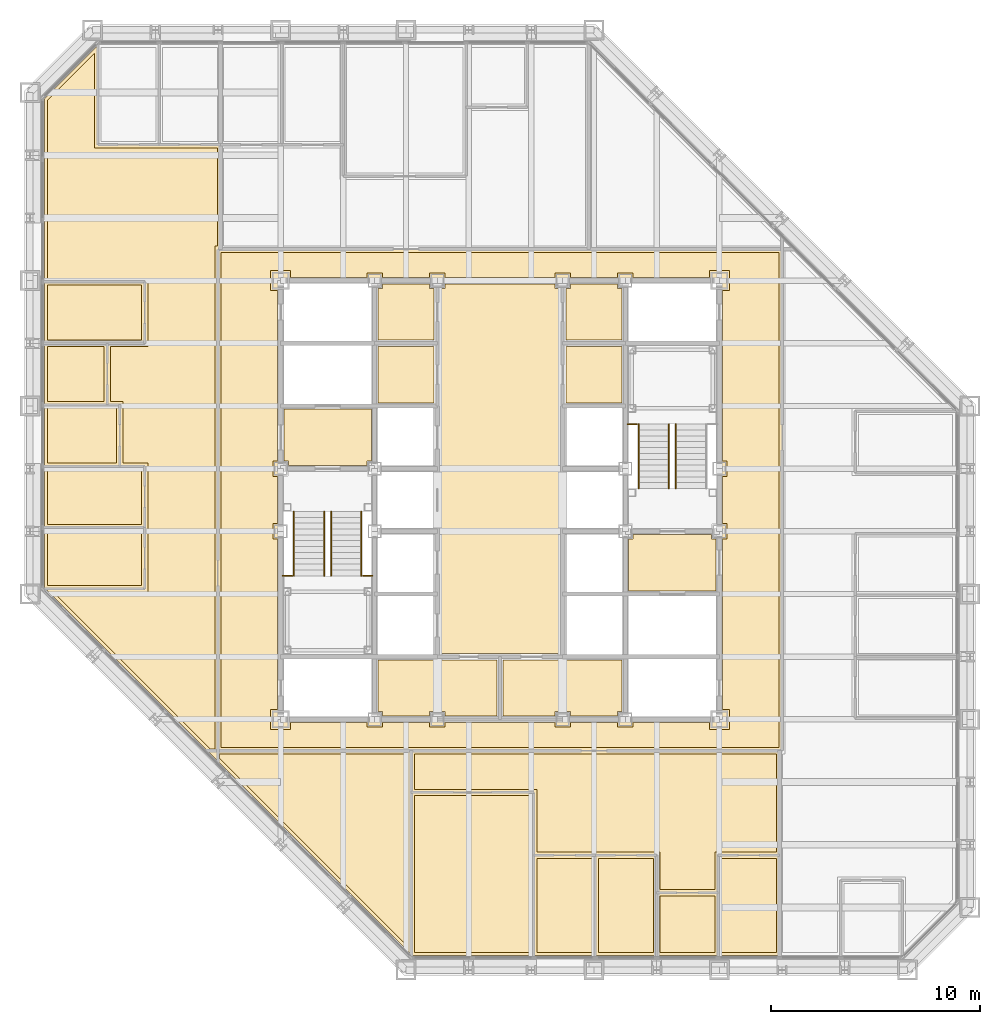
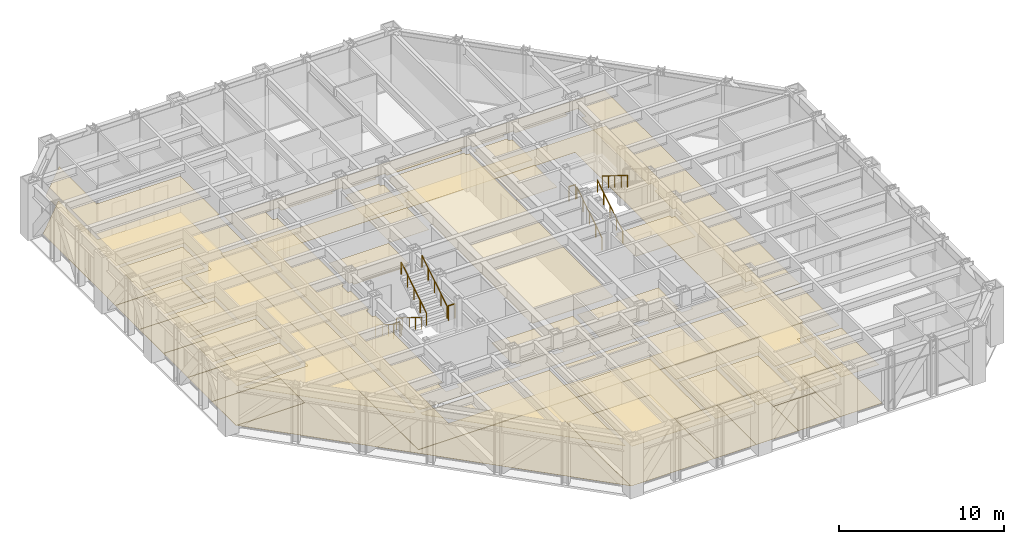
# One storey, part 14 of 16: 36 coverings, 10 railings.
"""IFC4 building model written with IfcOpenShell, lengths in metres."""

from ifc_helpers import new_model, si_unit, direction, frame, origin, origin_2d, place, context, subcontext, project, spatial, polyline, circle, outline, extrude, material, layer, layer_set, type_object, element, save


model = new_model("IFC4")

# Units and contexts
model_context = context("Model", 3, precision=1e-05, world=origin(), true_north=direction((0.0, 1.0)))
body_context = subcontext(model_context, "Body", "Model", "MODEL_VIEW")
ifc_project = project(units=[si_unit("LENGTHUNIT", "METRE"), si_unit("AREAUNIT", "SQUARE_METRE"), si_unit("VOLUMEUNIT", "CUBIC_METRE"), si_unit("PLANEANGLEUNIT", "RADIAN"), si_unit("MASSUNIT", "GRAM", prefix="KILO")], contexts=[model_context])

# Site, building, storey
site_placement = place(None, origin())
site = spatial("IfcSite", under=ifc_project, at=site_placement, CompositionType="ELEMENT")
building_placement = place(site_placement, origin())
building = spatial("IfcBuilding", under=site, at=building_placement, Name="Chuquiago Exchange Tower", CompositionType="ELEMENT")
storey_placement = place(building_placement, frame((0.0, 0.0, 140.39990234375)))
storey = spatial("IfcBuildingStorey", under=building, at=storey_placement, Name="L30", CompositionType="ELEMENT", Elevation=140.39990234375)

# Coverings
ifc_material_1 = material(Name="Mineral fibre tile, 600 x 600, on pale metal grid", Category="mineral fibre")
ifc_layer_1 = layer(ifc_material_1, 0.02001953125)
ifc_layer_set_1 = layer_set([ifc_layer_1], Name="CL1 suspended tile ceiling 20")
covering_type_1 = type_object("IfcCoveringType", Name="CL1 suspended tile ceiling 20", PredefinedType="CEILING", material=ifc_layer_set_1)
covering_1_placement = place(storey_placement, frame((0.0, 0.0, 2.800048828125)))
element("IfcCovering", 1, at=covering_1_placement, inside=storey, type_object=covering_type_1, Name="Ceiling Training room", PredefinedType="CEILING", context=body_context, shape_type="SweptSolid", body=[
    extrude(outline(polyline([(18.3984375, 8.35009765625), (23.974365234375, 8.35009765625), (23.974365234375, 0.85009765625), (18.3984375, 0.85009765625), (18.3984375, 8.35009765625)])), origin(), (0.0, 0.0, 1.0), 0.02001953125),
])
covering_2_placement = place(storey_placement, frame((0.0, 0.0, 2.800048828125)))
element("IfcCovering", 2, at=covering_2_placement, inside=storey, type_object=covering_type_1, Name="Ceiling Office", PredefinedType="CEILING", context=body_context, shape_type="SweptSolid", body=[
    extrude(outline(polyline([(24.2744140625, 5.35009765625), (26.912109375, 5.35009765625), (26.912109375, 0.85009765625), (24.2744140625, 0.85009765625), (24.2744140625, 5.35009765625)])), origin(), (0.0, 0.0, 1.0), 0.02001953125),
])
covering_3_placement = place(storey_placement, frame((0.0, 0.0, 2.800048828125)))
element("IfcCovering", 3, at=covering_3_placement, inside=storey, type_object=covering_type_1, Name="Ceiling Office", PredefinedType="CEILING", context=body_context, shape_type="SweptSolid", body=[
    extrude(outline(polyline([(27.212158203125, 5.35009765625), (29.85009765625, 5.35009765625), (29.85009765625, 0.85009765625), (27.212158203125, 0.85009765625), (27.212158203125, 5.35009765625)])), origin(), (0.0, 0.0, 1.0), 0.02001953125),
])
covering_4_placement = place(storey_placement, frame((0.0, 0.0, 2.800048828125)))
element("IfcCovering", 4, at=covering_4_placement, inside=storey, type_object=covering_type_1, Name="Ceiling Focus room", PredefinedType="CEILING", context=body_context, shape_type="SweptSolid", body=[
    extrude(outline(polyline([(30.14990234375, 3.550048828125), (32.787841796875, 3.550048828125), (32.787841796875, 0.85009765625), (30.14990234375, 0.85009765625), (30.14990234375, 3.550048828125)])), origin(), (0.0, 0.0, 1.0), 0.02001953125),
])
covering_5_placement = place(storey_placement, frame((0.0, 0.0, 2.800048828125)))
element("IfcCovering", 5, at=covering_5_placement, inside=storey, type_object=covering_type_1, Name="Ceiling Office", PredefinedType="CEILING", context=body_context, shape_type="SweptSolid", body=[
    extrude(outline(polyline([(33.087890625, 5.35009765625), (35.7255859375, 5.35009765625), (35.7255859375, 0.85009765625), (33.087890625, 0.85009765625), (33.087890625, 5.35009765625)])), origin(), (0.0, 0.0, 1.0), 0.02001953125),
])
covering_6_placement = place(storey_placement, frame((0.0, 0.0, 2.800048828125)))
element("IfcCovering", 6, at=covering_6_placement, inside=storey, type_object=covering_type_1, Name="Ceiling Office", PredefinedType="CEILING", context=body_context, shape_type="SweptSolid", body=[
    extrude(outline(polyline([(0.85009765625, 21.036376953125), (5.35009765625, 21.036376953125), (5.35009765625, 18.3984375), (0.85009765625, 18.3984375), (0.85009765625, 21.036376953125)])), origin(), (0.0, 0.0, 1.0), 0.02001953125),
])
covering_7_placement = place(storey_placement, frame((0.0, 0.0, 2.800048828125)))
element("IfcCovering", 7, at=covering_7_placement, inside=storey, type_object=covering_type_1, Name="Ceiling Office", PredefinedType="CEILING", context=body_context, shape_type="SweptSolid", body=[
    extrude(outline(polyline([(5.35009765625, 23.974365234375), (5.35009765625, 21.33642578125), (0.85009765625, 21.33642578125), (0.85009765625, 23.974365234375), (5.35009765625, 23.974365234375)])), origin(), (0.0, 0.0, 1.0), 0.02001953125),
])
covering_8_placement = place(storey_placement, frame((0.0, 0.0, 2.800048828125)))
element("IfcCovering", 8, at=covering_8_placement, inside=storey, type_object=covering_type_1, Name="Ceiling Pantry", PredefinedType="CEILING", context=body_context, shape_type="SweptSolid", body=[
    extrude(outline(polyline([(4.14990234375, 26.912109375), (4.14990234375, 24.2744140625), (0.85009765625, 24.2744140625), (0.85009765625, 26.912109375), (4.14990234375, 26.912109375)])), origin(), (0.0, 0.0, 1.0), 0.02001953125),
])
covering_9_placement = place(storey_placement, frame((0.0, 0.0, 2.800048828125)))
element("IfcCovering", 9, at=covering_9_placement, inside=storey, type_object=covering_type_1, Name="Ceiling Focus room", PredefinedType="CEILING", context=body_context, shape_type="SweptSolid", body=[
    extrude(outline(polyline([(3.550048828125, 29.85009765625), (3.550048828125, 27.212158203125), (0.85009765625, 27.212158203125), (0.85009765625, 29.85009765625), (3.550048828125, 29.85009765625)])), origin(), (0.0, 0.0, 1.0), 0.02001953125),
])
covering_10_placement = place(storey_placement, frame((0.0, 0.0, 2.800048828125)))
element("IfcCovering", 10, at=covering_10_placement, inside=storey, type_object=covering_type_1, Name="Ceiling Meeting room", PredefinedType="CEILING", context=body_context, shape_type="SweptSolid", body=[
    extrude(outline(polyline([(5.35009765625, 32.787841796875), (5.35009765625, 30.14990234375), (0.85009765625, 30.14990234375), (0.85009765625, 32.787841796875), (5.35009765625, 32.787841796875)])), origin(), (0.0, 0.0, 1.0), 0.02001953125),
])
covering_11_placement = place(storey_placement, frame((0.0, 0.0, 2.800048828125)))
element("IfcCovering", 11, at=covering_11_placement, inside=storey, type_object=covering_type_1, Name="Ceiling Open office south suite", PredefinedType="CEILING", context=body_context, shape_type="SweptSolid", body=[
    extrude(outline(polyline([(32.787841796875, 3.85009765625), (30.14990234375, 3.85009765625), (30.14990234375, 5.64990234375), (24.2744140625, 5.64990234375), (24.2744140625, 8.64990234375), (18.39892578125, 8.64990234375), (18.39892578125, 10.349609375), (35.72509765625, 10.349609375), (35.72509765625, 5.64990234375), (32.787841796875, 5.64990234375), (32.787841796875, 3.85009765625)])), origin(), (0.0, 0.0, 1.0), 0.02001953125),
])
covering_12_placement = place(storey_placement, frame((0.0, 0.0, 2.800048828125)))
element("IfcCovering", 12, at=covering_12_placement, inside=storey, type_object=covering_type_1, Name="Ceiling Open office west suite", PredefinedType="CEILING", context=body_context, shape_type="SweptSolid", body=[
    extrude(outline(polyline([(3.098388671875, 39.35009765625), (8.973876953125, 39.35009765625), (8.973876953125, 34.64990234375), (8.849609375, 34.6494140625), (8.849609375, 10.5849609375), (8.616943359375, 10.5849609375), (1.103515625, 18.098388671875), (5.64990234375, 18.098388671875), (5.64990234375, 24.2744140625), (4.449951171875, 24.2744140625), (4.449951171875, 27.212158203125), (3.85009765625, 27.212158203125), (3.85009765625, 29.85009765625), (5.64990234375, 29.85009765625), (5.64990234375, 33.087890625), (0.85009765625, 33.087890625), (0.85009765625, 41.64794921875), (3.098388671875, 43.896484375), (3.098388671875, 39.35009765625)])), origin(), (0.0, 0.0, 1.0), 0.02001953125),
])
covering_13_placement = place(storey_placement, frame((0.0, 0.0, 2.800048828125)))
element("IfcCovering", 13, at=covering_13_placement, inside=storey, type_object=covering_type_1, Name="Ceiling Open office west suite", PredefinedType="CEILING", context=body_context, shape_type="SweptSolid", body=[
    extrude(outline(polyline([(18.097900390625, 10.349609375), (18.097900390625, 1.10400390625), (9.0849609375, 10.116943359375), (9.0849609375, 10.349853515625), (18.097900390625, 10.349609375)])), origin(), (0.0, 0.0, 1.0), 0.02001953125),
])
covering_14_placement = place(storey_placement, frame((0.0, 0.0, 2.800048828125)))
element("IfcCovering", 14, at=covering_14_placement, inside=storey, type_object=covering_type_1, Name="Ceiling Tenant corridor", PredefinedType="CEILING", context=body_context, shape_type="SweptSolid", body=[
    extrude(outline(polyline([(9.14990234375, 34.35009765625), (35.85009765625, 34.35009765625), (35.85009765625, 10.64990234375), (9.14990234375, 10.64990234375), (9.14990234375, 34.35009765625)]), holes=[polyline([(11.85009765625, 24.375), (11.625, 24.375), (11.625, 23.625), (11.85009765625, 23.625), (11.85009765625, 21.375), (11.625, 21.375), (11.625, 20.625), (11.85009765625, 20.625), (11.85009765625, 12.47509765625), (11.52490234375, 12.47509765625), (11.52490234375, 11.52490234375), (12.47509765625, 11.52490234375), (12.47509765625, 11.85009765625), (16.125, 11.85009765625), (16.125, 11.625), (16.875, 11.625), (16.875, 11.85009765625), (19.125, 11.85009765625), (19.125, 11.625), (19.875, 11.625), (19.875, 11.85009765625), (25.125, 11.85009765625), (25.125, 11.625), (25.875, 11.625), (25.875, 11.85009765625), (28.125, 11.85009765625), (28.125, 11.625), (28.875, 11.625), (28.875, 11.85009765625), (32.52490234375, 11.85009765625), (32.52490234375, 11.52490234375), (33.47509765625, 11.52490234375), (33.47509765625, 12.47509765625), (33.14990234375, 12.47509765625), (33.14990234375, 20.625), (33.375, 20.625), (33.375, 21.375), (33.14990234375, 21.375), (33.14990234375, 23.625), (33.375, 23.625), (33.375, 24.375), (33.14990234375, 24.375), (33.14990234375, 32.52490234375), (33.47509765625, 32.52490234375), (33.47509765625, 33.47509765625), (32.52490234375, 33.47509765625), (32.52490234375, 33.14990234375), (28.875, 33.14990234375), (28.875, 33.375), (28.125, 33.375), (28.125, 33.14990234375), (25.875, 33.14990234375), (25.875, 33.375), (25.125, 33.375), (25.125, 33.14990234375), (19.875, 33.14990234375), (19.875, 33.375), (19.125, 33.375), (19.125, 33.14990234375), (16.875, 33.14990234375), (16.875, 33.375), (16.125, 33.375), (16.125, 33.14990234375), (12.47509765625, 33.14990234375), (12.47509765625, 33.47509765625), (11.52490234375, 33.47509765625), (11.52490234375, 32.52490234375), (11.85009765625, 32.52490234375), (11.85009765625, 24.375)])]), origin(), (0.0, 0.0, 1.0), 0.02001953125),
])
covering_15_placement = place(storey_placement, frame((0.0, 0.0, 2.800048828125)))
element("IfcCovering", 15, at=covering_15_placement, inside=storey, type_object=covering_type_1, Name="Ceiling Baby change room", PredefinedType="CEILING", context=body_context, shape_type="SweptSolid", body=[
    extrude(outline(polyline([(25.64990234375, 30.14990234375), (25.64990234375, 32.625), (25.875, 32.625), (25.875, 32.85009765625), (28.125, 32.85009765625), (28.125, 32.625), (28.35009765625, 32.625), (28.35009765625, 30.14990234375), (25.64990234375, 30.14990234375)])), origin(), (0.0, 0.0, 1.0), 0.02001953125),
])
ifc_material_2 = material(Name="Moisture resistant plasterboard on metal frame", Category="gypsum")
ifc_layer_2 = layer(ifc_material_2, 0.014892578125)
ifc_layer_set_2 = layer_set([ifc_layer_2], Name="CL2 moisture resistant ceiling 15")
covering_type_2 = type_object("IfcCoveringType", Name="CL2 moisture resistant ceiling 15", PredefinedType="CEILING", material=ifc_layer_set_2)
covering_16_placement = place(storey_placement, frame((0.0, 0.0, 2.60009765625)))
element("IfcCovering", 16, at=covering_16_placement, inside=storey, type_object=covering_type_2, Name="Ceiling Male WC", PredefinedType="CEILING", context=body_context, shape_type="SweptSolid", body=[
    extrude(outline(polyline([(16.64990234375, 27.14990234375), (16.64990234375, 29.85009765625), (19.35009765625, 29.85009765625), (19.35009765625, 27.14990234375), (16.64990234375, 27.14990234375)])), origin(), (0.0, 0.0, 1.0), 0.014892578125),
])
covering_17_placement = place(storey_placement, frame((0.0, 0.0, 2.60009765625)))
element("IfcCovering", 17, at=covering_17_placement, inside=storey, type_object=covering_type_2, Name="Ceiling Staff shower room", PredefinedType="CEILING", context=body_context, shape_type="SweptSolid", body=[
    extrude(outline(polyline([(16.64990234375, 30.14990234375), (16.64990234375, 32.625), (16.875, 32.625), (16.875, 32.85009765625), (19.125, 32.85009765625), (19.125, 32.625), (19.35009765625, 32.625), (19.35009765625, 30.14990234375), (16.64990234375, 30.14990234375)])), origin(), (0.0, 0.0, 1.0), 0.014892578125),
])
covering_18_placement = place(storey_placement, frame((0.0, 0.0, 2.60009765625)))
element("IfcCovering", 18, at=covering_18_placement, inside=storey, type_object=covering_type_2, Name="Ceiling Female WC", PredefinedType="CEILING", context=body_context, shape_type="SweptSolid", body=[
    extrude(outline(polyline([(25.64990234375, 27.14990234375), (25.64990234375, 29.85009765625), (28.35009765625, 29.85009765625), (28.35009765625, 27.14990234375), (25.64990234375, 27.14990234375)])), origin(), (0.0, 0.0, 1.0), 0.014892578125),
])
covering_19_placement = place(storey_placement, frame((0.0, 0.0, 2.60009765625)))
element("IfcCovering", 19, at=covering_19_placement, inside=storey, type_object=covering_type_2, Name="Ceiling Accessible WC", PredefinedType="CEILING", context=body_context, shape_type="SweptSolid", body=[
    extrude(outline(polyline([(25.875, 12.14990234375), (25.875, 12.375), (25.125, 12.375), (25.125, 12.14990234375), (22.64990234375, 12.14990234375), (22.64990234375, 14.85009765625), (28.35009765625, 14.85009765625), (28.35009765625, 12.375), (28.125, 12.375), (28.125, 12.14990234375), (25.875, 12.14990234375)])), origin(), (0.0, 0.0, 1.0), 0.014892578125),
])
covering_20_placement = place(storey_placement, frame((0.0, 0.0, 2.60009765625)))
element("IfcCovering", 20, at=covering_20_placement, inside=storey, type_object=covering_type_2, Name="Ceiling Cleaner", PredefinedType="CEILING", context=body_context, shape_type="SweptSolid", body=[
    extrude(outline(polyline([(19.875, 12.14990234375), (19.875, 12.375), (19.125, 12.375), (19.125, 12.14990234375), (16.875, 12.14990234375), (16.875, 12.375), (16.64990234375, 12.375), (16.64990234375, 14.85009765625), (22.35009765625, 14.85009765625), (22.35009765625, 12.14990234375), (19.875, 12.14990234375)])), origin(), (0.0, 0.0, 1.0), 0.014892578125),
])
ifc_material_3 = material(Name="Pale metal plank ceiling, perforated", Category="aluminium")
ifc_layer_3 = layer(ifc_material_3, 0.030029296875)
ifc_layer_set_3 = layer_set([ifc_layer_3], Name="CL3 metal plank ceiling 30")
covering_type_3 = type_object("IfcCoveringType", Name="CL3 metal plank ceiling 30", PredefinedType="CEILING", material=ifc_layer_set_3)
covering_21_placement = place(storey_placement, frame((0.0, 0.0, 2.800048828125)))
element("IfcCovering", 21, at=covering_21_placement, inside=storey, type_object=covering_type_3, Name="Ceiling Lift lobby", PredefinedType="CEILING", context=body_context, shape_type="SweptSolid", body=[
    extrude(outline(polyline([(19.64990234375, 15.14990234375), (19.64990234375, 32.625), (19.875, 32.625), (19.875, 32.85009765625), (25.125, 32.85009765625), (25.125, 32.625), (25.35009765625, 32.625), (25.35009765625, 15.14990234375), (19.64990234375, 15.14990234375)])), origin(), (0.0, 0.0, 1.0), 0.030029296875),
])
covering_22_placement = place(storey_placement, frame((0.0, 0.0, 2.800048828125)))
element("IfcCovering", 22, at=covering_22_placement, inside=storey, type_object=covering_type_3, Name="Ceiling Firefighting lobby", PredefinedType="CEILING", context=body_context, shape_type="SweptSolid", body=[
    extrude(outline(polyline([(12.375, 24.14990234375), (12.375, 24.375), (12.14990234375, 24.375), (12.14990234375, 26.85009765625), (16.35009765625, 26.85009765625), (16.35009765625, 24.375), (16.125, 24.375), (16.125, 24.14990234375), (12.375, 24.14990234375)])), origin(), (0.0, 0.0, 1.0), 0.030029296875),
])
covering_23_placement = place(storey_placement, frame((0.0, 0.0, 2.800048828125)))
element("IfcCovering", 23, at=covering_23_placement, inside=storey, type_object=covering_type_3, Name="Ceiling Firefighting lobby", PredefinedType="CEILING", context=body_context, shape_type="SweptSolid", body=[
    extrude(outline(polyline([(28.64990234375, 18.14990234375), (28.64990234375, 20.625), (28.875, 20.625), (28.875, 20.85009765625), (32.625, 20.85009765625), (32.625, 20.625), (32.85009765625, 20.625), (32.85009765625, 18.14990234375), (28.64990234375, 18.14990234375)])), origin(), (0.0, 0.0, 1.0), 0.030029296875),
])
ifc_material_4 = material(Name="Carpet tile, 500 x 500, on the floor slab", Category="textile")
ifc_layer_4 = layer(ifc_material_4, 0.010009765625)
ifc_layer_set_4 = layer_set([ifc_layer_4], Name="FL1 carpet tile 10")
covering_type_4 = type_object("IfcCoveringType", Name="FL1 carpet tile 10", PredefinedType="FLOORING", material=ifc_layer_set_4)
covering_24_placement = place(storey_placement, origin())
element("IfcCovering", 24, at=covering_24_placement, inside=storey, type_object=covering_type_4, Name="Floor finish Training room", PredefinedType="FLOORING", context=body_context, shape_type="SweptSolid", body=[
    extrude(outline(polyline([(18.289794921875, 0.699951171875), (18.24853515625, 0.741455078125), (18.24853515625, 8.5), (24.124267578125, 8.5), (24.124267578125, 0.699951171875), (18.289794921875, 0.699951171875)])), origin(), (0.0, 0.0, 1.0), 0.010009765625),
])
covering_25_placement = place(storey_placement, origin())
element("IfcCovering", 25, at=covering_25_placement, inside=storey, type_object=covering_type_4, Name="Floor finish Office", PredefinedType="FLOORING", context=body_context, shape_type="SweptSolid", body=[
    extrude(outline(polyline([(24.124267578125, 0.699951171875), (24.124267578125, 5.5), (27.06201171875, 5.5), (27.06201171875, 0.699951171875), (24.124267578125, 0.699951171875)])), origin(), (0.0, 0.0, 1.0), 0.010009765625),
])
covering_26_placement = place(storey_placement, origin())
element("IfcCovering", 26, at=covering_26_placement, inside=storey, type_object=covering_type_4, Name="Floor finish Office", PredefinedType="FLOORING", context=body_context, shape_type="SweptSolid", body=[
    extrude(outline(polyline([(27.06201171875, 0.699951171875), (27.06201171875, 5.5), (30.0, 5.5), (30.0, 0.699951171875), (27.06201171875, 0.699951171875)])), origin(), (0.0, 0.0, 1.0), 0.010009765625),
])
covering_27_placement = place(storey_placement, origin())
element("IfcCovering", 27, at=covering_27_placement, inside=storey, type_object=covering_type_4, Name="Floor finish Focus room", PredefinedType="FLOORING", context=body_context, shape_type="SweptSolid", body=[
    extrude(outline(polyline([(30.0, 0.699951171875), (30.0, 3.699951171875), (32.93798828125, 3.699951171875), (32.93798828125, 0.699951171875), (30.0, 0.699951171875)])), origin(), (0.0, 0.0, 1.0), 0.010009765625),
])
covering_28_placement = place(storey_placement, origin())
element("IfcCovering", 28, at=covering_28_placement, inside=storey, type_object=covering_type_4, Name="Floor finish Office", PredefinedType="FLOORING", context=body_context, shape_type="SweptSolid", body=[
    extrude(outline(polyline([(32.93798828125, 0.699951171875), (32.93798828125, 5.5), (35.875732421875, 5.5), (35.875732421875, 0.699951171875), (32.93798828125, 0.699951171875)])), origin(), (0.0, 0.0, 1.0), 0.010009765625),
])
covering_29_placement = place(storey_placement, origin())
element("IfcCovering", 29, at=covering_29_placement, inside=storey, type_object=covering_type_4, Name="Floor finish Office", PredefinedType="FLOORING", context=body_context, shape_type="SweptSolid", body=[
    extrude(outline(polyline([(0.699951171875, 21.186279296875), (5.5, 21.186279296875), (5.5, 18.24853515625), (0.741455078125, 18.24853515625), (0.699951171875, 18.289794921875), (0.699951171875, 21.186279296875)])), origin(), (0.0, 0.0, 1.0), 0.010009765625),
])
covering_30_placement = place(storey_placement, origin())
element("IfcCovering", 30, at=covering_30_placement, inside=storey, type_object=covering_type_4, Name="Floor finish Office", PredefinedType="FLOORING", context=body_context, shape_type="SweptSolid", body=[
    extrude(outline(polyline([(0.699951171875, 24.124267578125), (5.5, 24.124267578125), (5.5, 21.186279296875), (0.699951171875, 21.186279296875), (0.699951171875, 24.124267578125)])), origin(), (0.0, 0.0, 1.0), 0.010009765625),
])
covering_31_placement = place(storey_placement, origin())
element("IfcCovering", 31, at=covering_31_placement, inside=storey, type_object=covering_type_4, Name="Floor finish Focus room", PredefinedType="FLOORING", context=body_context, shape_type="SweptSolid", body=[
    extrude(outline(polyline([(0.699951171875, 30.0), (3.699951171875, 30.0), (3.699951171875, 27.06201171875), (0.699951171875, 27.06201171875), (0.699951171875, 30.0)])), origin(), (0.0, 0.0, 1.0), 0.010009765625),
])
covering_32_placement = place(storey_placement, origin())
element("IfcCovering", 32, at=covering_32_placement, inside=storey, type_object=covering_type_4, Name="Floor finish Meeting room", PredefinedType="FLOORING", context=body_context, shape_type="SweptSolid", body=[
    extrude(outline(polyline([(0.699951171875, 32.93798828125), (5.5, 32.93798828125), (5.5, 30.0), (0.699951171875, 30.0), (0.699951171875, 32.93798828125)])), origin(), (0.0, 0.0, 1.0), 0.010009765625),
])
covering_33_placement = place(storey_placement, origin())
element("IfcCovering", 33, at=covering_33_placement, inside=storey, type_object=covering_type_4, Name="Floor finish Open office south suite", PredefinedType="FLOORING", context=body_context, shape_type="SweptSolid", body=[
    extrude(outline(polyline([(32.93798828125, 5.5), (32.93798828125, 3.699951171875), (30.0, 3.699951171875), (30.0, 5.5), (24.124267578125, 5.5), (24.124267578125, 8.5), (18.2490234375, 8.5), (18.2490234375, 10.49951171875), (35.875244140625, 10.49951171875), (35.875244140625, 5.5), (32.93798828125, 5.5)])), origin(), (0.0, 0.0, 1.0), 0.010009765625),
])
covering_34_placement = place(storey_placement, origin())
element("IfcCovering", 34, at=covering_34_placement, inside=storey, type_object=covering_type_4, Name="Floor finish Open office west suite", PredefinedType="FLOORING", context=body_context, shape_type="SweptSolid", body=[
    extrude(outline(polyline([(3.24853515625, 44.258544921875), (3.24853515625, 39.5), (9.123779296875, 39.5), (9.123779296875, 34.50048828125), (8.99951171875, 34.5), (8.99951171875, 10.5), (18.248046875, 10.49951171875), (18.248046875, 0.741943359375), (0.741455078125, 18.24853515625), (5.5, 18.24853515625), (5.5, 24.124267578125), (4.300048828125, 24.124267578125), (4.300048828125, 27.06201171875), (3.699951171875, 27.06201171875), (3.699951171875, 30.0), (5.5, 30.0), (5.5, 32.93798828125), (0.699951171875, 32.93798828125), (0.699951171875, 41.710205078125), (3.289794921875, 44.300048828125), (3.24853515625, 44.258544921875)])), origin(), (0.0, 0.0, 1.0), 0.010009765625),
])
ifc_material_5 = material(Name="Porcelain floor tile, 600 x 600, on adhesive bed", Category="ceramic")
ifc_layer_5 = layer(ifc_material_5, 0.014892578125)
ifc_layer_set_5 = layer_set([ifc_layer_5], Name="FL2 porcelain tile 15")
covering_type_5 = type_object("IfcCoveringType", Name="FL2 porcelain tile 15", PredefinedType="FLOORING", material=ifc_layer_set_5)
covering_35_placement = place(storey_placement, origin())
element("IfcCovering", 35, at=covering_35_placement, inside=storey, type_object=covering_type_5, Name="Floor finish Pantry", PredefinedType="FLOORING", context=body_context, shape_type="SweptSolid", body=[
    extrude(outline(polyline([(0.699951171875, 27.06201171875), (4.300048828125, 27.06201171875), (4.300048828125, 24.124267578125), (0.699951171875, 24.124267578125), (0.699951171875, 27.06201171875)])), origin(), (0.0, 0.0, 1.0), 0.01513671875),
])
covering_36_placement = place(storey_placement, origin())
element("IfcCovering", 36, at=covering_36_placement, inside=storey, type_object=covering_type_5, Name="Floor finish Tenant corridor", PredefinedType="FLOORING", context=body_context, shape_type="SweptSolid", body=[
    extrude(outline(polyline([(9.0, 10.5), (9.0, 34.5), (36.0, 34.5), (36.0, 10.5), (9.0, 10.5)]), holes=[polyline([(12.0, 33.0), (12.0, 12.0), (33.0, 12.0), (33.0, 33.0), (12.0, 33.0)])]), origin(), (0.0, 0.0, 1.0), 0.01513671875),
])

# Railings
ifc_material_6 = material(Name="Pale metal guard with safety glass infill", Category="glass")
railing_type_1 = type_object("IfcRailingType", Name="GR1 guard 1100", PredefinedType="GUARDRAIL", material=ifc_material_6)
for number, where, name in (
    (37, (12.10009765625, 18.8701171875, 2.10009765625), "Guard ST1 L30 landing 2"),
    (38, (15.945068359375, 18.8701171875, 2.10009765625), "Guard ST1 L30 landing 2"),
    (39, (28.60009765625, 26.1298828125, 2.10009765625), "Guard ST2 L30 landing 2"),
):
    element("IfcRailing", number, at=place(storey_placement, frame(where)), inside=storey, type_object=railing_type_1, Name=name, PredefinedType="GUARDRAIL", context=body_context, shape_type="SweptSolid", body=[
        extrude(circle(Radius=0.02392578125, at=origin_2d()), frame((0.0, 0.0, 1.076171875), z_axis=(1.0, 0.0, 0.0), x_axis=(0.0, 1.0, 0.0)), (0.0, 0.0, 1.0), 0.454833984375),
        extrude(circle(Radius=0.02099609375, at=origin_2d()), origin(), (0.0, 0.0, 1.0), 1.052001953125),
        extrude(circle(Radius=0.02099609375, at=origin_2d()), frame((0.454833984375, 0.0, 0.0)), (0.0, 0.0, 1.0), 1.052001953125),
    ])
ifc_material_7 = material(Name="Pale metal handrail", Category="steel")
railing_type_2 = type_object("IfcRailingType", Name="HR1 handrail 900", PredefinedType="HANDRAIL", material=ifc_material_7)
for number, where, name in (
    (40, (12.635009765625, 21.949951171875, 0.175048828125), "Handrail ST1 L30 flight 1"),
    (41, (14.0849609375, 21.949951171875, 0.175048828125), "Handrail ST1 L30 flight 1"),
):
    element("IfcRailing", number, at=place(storey_placement, frame(where)), inside=storey, type_object=railing_type_2, Name=name, PredefinedType="HANDRAIL", context=body_context, shape_type="SweptSolid", body=[
        extrude(circle(Radius=0.02392578125, at=origin_2d()), frame((0.0, 0.0, 0.8759765625), z_axis=(0.0, -0.847979421464, 0.530029150871), x_axis=(1.0, 0.0, 0.0)), (0.0, 0.0, 1.0), 3.632080078125),
        extrude(circle(Radius=0.02099609375, at=origin_2d()), origin(), (0.0, 0.0, 1.0), 0.851806640625),
        extrude(circle(Radius=0.02099609375, at=origin_2d()), frame((0.0, -0.77001953125, 0.481201171875)), (0.0, 0.0, 1.0), 0.851806640625),
        extrude(circle(Radius=0.02099609375, at=origin_2d()), frame((0.0, -1.5400390625, 0.96240234375)), (0.0, 0.0, 1.0), 0.851806640625),
        extrude(circle(Radius=0.02099609375, at=origin_2d()), frame((0.0, -2.309814453125, 1.44384765625)), (0.0, 0.0, 1.0), 0.851806640625),
        extrude(circle(Radius=0.02099609375, at=origin_2d()), frame((0.0, -3.079833984375, 1.925048828125)), (0.0, 0.0, 1.0), 0.851806640625),
    ])
for number, where, name in (
    (42, (15.864990234375, 18.8701171875, 2.275146484375), "Handrail ST1 L30 flight 2"),
    (43, (14.4150390625, 18.8701171875, 2.275146484375), "Handrail ST1 L30 flight 2"),
    (44, (30.5849609375, 23.050048828125, 0.175048828125), "Handrail ST2 L30 flight 1"),
    (45, (29.135009765625, 23.050048828125, 0.175048828125), "Handrail ST2 L30 flight 1"),
):
    element("IfcRailing", number, at=place(storey_placement, frame(where)), inside=storey, type_object=railing_type_2, Name=name, PredefinedType="HANDRAIL", context=body_context, shape_type="SweptSolid", body=[
        extrude(circle(Radius=0.02392578125, at=origin_2d()), frame((0.0, 0.0, 0.8759765625), z_axis=(0.0, 0.847979421464, 0.530029150871), x_axis=(-1.0, 0.0, 0.0)), (0.0, 0.0, 1.0), 3.632080078125),
        extrude(circle(Radius=0.02099609375, at=origin_2d()), origin(), (0.0, 0.0, 1.0), 0.851806640625),
        extrude(circle(Radius=0.02099609375, at=origin_2d()), frame((0.0, 0.77001953125, 0.481201171875)), (0.0, 0.0, 1.0), 0.851806640625),
        extrude(circle(Radius=0.02099609375, at=origin_2d()), frame((0.0, 1.5400390625, 0.96240234375)), (0.0, 0.0, 1.0), 0.851806640625),
        extrude(circle(Radius=0.02099609375, at=origin_2d()), frame((0.0, 2.309814453125, 1.44384765625)), (0.0, 0.0, 1.0), 0.851806640625),
        extrude(circle(Radius=0.02099609375, at=origin_2d()), frame((0.0, 3.079833984375, 1.925048828125)), (0.0, 0.0, 1.0), 0.851806640625),
    ])
railing_placement = place(storey_placement, frame((30.9150390625, 26.1298828125, 2.275146484375)))
element("IfcRailing", 46, at=railing_placement, inside=storey, type_object=railing_type_2, Name="Handrail ST2 L30 flight 2", PredefinedType="HANDRAIL", context=body_context, shape_type="SweptSolid", body=[
    extrude(circle(Radius=0.02392578125, at=origin_2d()), frame((0.0, 0.0, 0.8759765625), z_axis=(0.0, -0.847979421464, 0.530029150871), x_axis=(1.0, 0.0, 0.0)), (0.0, 0.0, 1.0), 3.632080078125),
    extrude(circle(Radius=0.02099609375, at=origin_2d()), origin(), (0.0, 0.0, 1.0), 0.851806640625),
    extrude(circle(Radius=0.02099609375, at=origin_2d()), frame((0.0, -0.77001953125, 0.481201171875)), (0.0, 0.0, 1.0), 0.851806640625),
    extrude(circle(Radius=0.02099609375, at=origin_2d()), frame((0.0, -1.5400390625, 0.96240234375)), (0.0, 0.0, 1.0), 0.851806640625),
    extrude(circle(Radius=0.02099609375, at=origin_2d()), frame((0.0, -2.309814453125, 1.44384765625)), (0.0, 0.0, 1.0), 0.851806640625),
    extrude(circle(Radius=0.02099609375, at=origin_2d()), frame((0.0, -3.079833984375, 1.925048828125)), (0.0, 0.0, 1.0), 0.851806640625),
])

save(model, "model.ifc")
